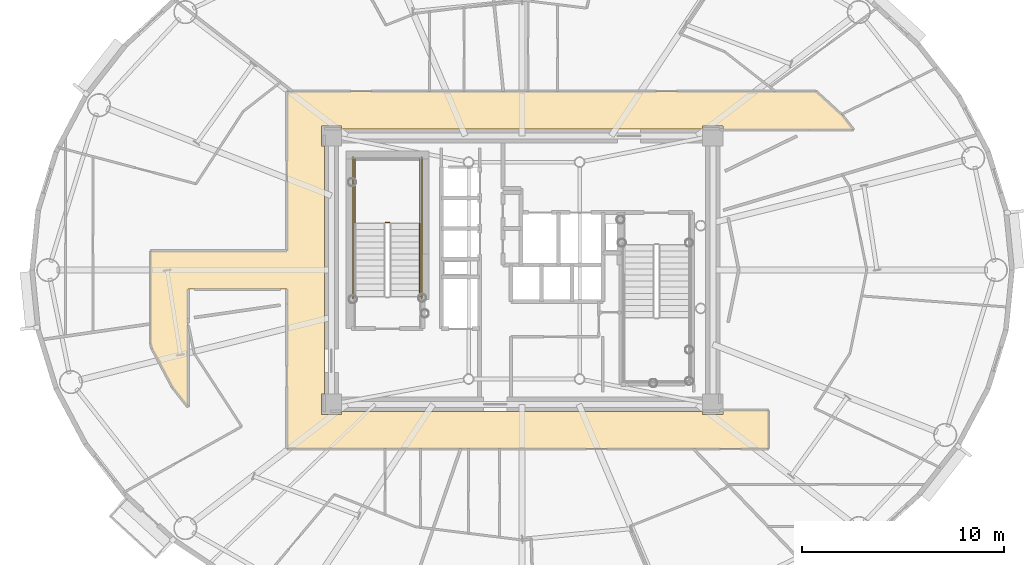
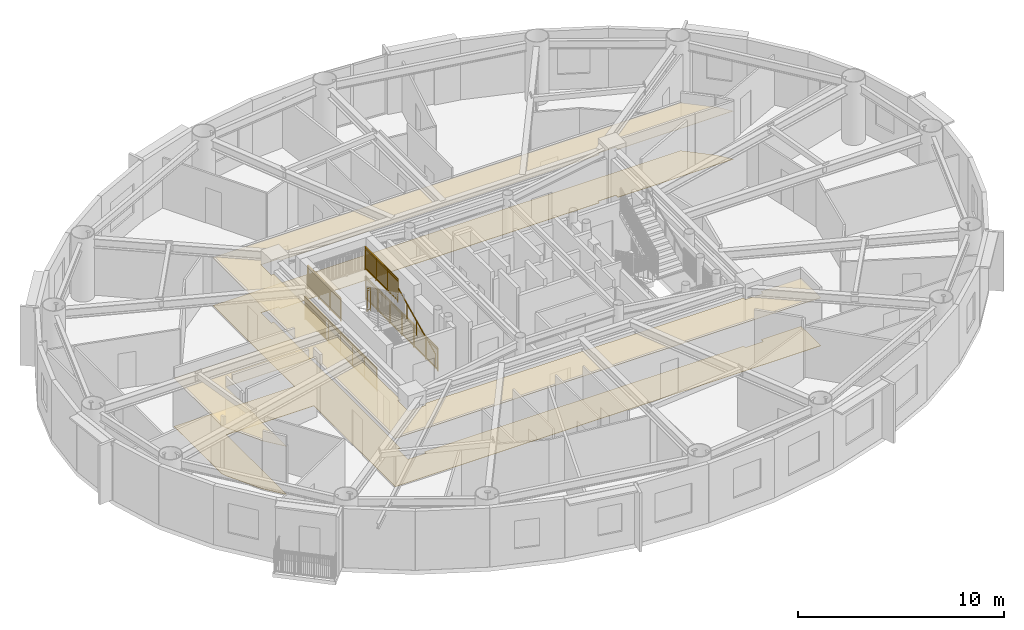
# One storey, part 16 of 20: 6 railings, 2 coverings.
"""IFC4 building model written with IfcOpenShell, lengths in metres."""

from ifc_helpers import new_model, si_unit, direction, frame, origin, origin_2d, place, context, subcontext, project, spatial, polyline, rectangle, outline, extrude, source, transform, mapped, material, layer, layer_set, type_object, element, save


model = new_model("IFC4")

# Units and contexts
model_context = context("Model", 3, precision=1e-05, world=origin(), true_north=direction((0.0, 1.0)))
body_context = subcontext(model_context, "Body", "Model", "MODEL_VIEW")
ifc_project = project(units=[si_unit("LENGTHUNIT", "METRE"), si_unit("AREAUNIT", "SQUARE_METRE"), si_unit("VOLUMEUNIT", "CUBIC_METRE"), si_unit("PLANEANGLEUNIT", "RADIAN"), si_unit("MASSUNIT", "GRAM", prefix="KILO")], contexts=[model_context])

# Site, building, storey
site_placement = place(None, origin())
site = spatial("IfcSite", under=ifc_project, at=site_placement, CompositionType="ELEMENT")
building_placement = place(site_placement, origin())
building = spatial("IfcBuilding", under=site, at=building_placement, Name="Linh Dai School and Residence Tower", CompositionType="ELEMENT")
storey_placement = place(building_placement, frame((0.0, 0.0, 232.800048828125)))
storey = spatial("IfcBuildingStorey", under=building, at=storey_placement, Name="L57", CompositionType="ELEMENT", Elevation=232.800048828125)

# Coverings
ifc_material_1 = material(Name="Mineral Fibre Acoustic Suspended Ceiling", Category="masonry")
ifc_layer_1 = layer(ifc_material_1, 0.02001953125)
ifc_layer_set_1 = layer_set([ifc_layer_1], Name="Mineral Fibre Acoustic Suspended Ceiling")
covering_type_1 = type_object("IfcCoveringType", Name="COV-CEIL-AC-20", PredefinedType="CEILING", material=ifc_layer_set_1)
covering_1_placement = place(storey_placement, frame((0.0, 0.0, 2.849853515625)))
element("IfcCovering", 1, at=covering_1_placement, inside=storey, type_object=covering_type_1, Name="L57 Residential Floor Corridor Suspended Ceiling", PredefinedType="CEILING", context=body_context, shape_type="SweptSolid", body=[
    extrude(outline(polyline([(19.449951171875, 20.211181640625), (18.6806640625, 21.1943359375), (17.66650390625, 23.111083984375), (17.60009765625, 23.327880859375), (17.60009765625, 27.949951171875), (24.35009765625, 27.949951171875), (24.35009765625, 35.85009765625), (50.56787109375, 35.85009765625), (51.873779296875, 34.65283203125), (52.423828125, 33.949951171875), (45.949951171875, 33.949951171875), (45.949951171875, 34.14990234375), (44.949951171875, 34.14990234375), (44.949951171875, 34.0), (27.050048828125, 34.0), (27.050048828125, 34.14990234375), (26.050048828125, 34.14990234375), (26.050048828125, 33.14990234375), (26.199951171875, 33.14990234375), (26.199951171875, 20.85009765625), (26.050048828125, 20.85009765625), (26.050048828125, 19.85009765625), (27.050048828125, 19.85009765625), (27.050048828125, 20.0), (44.949951171875, 20.0), (44.949951171875, 19.85009765625), (45.949951171875, 19.85009765625), (45.949951171875, 20.050048828125), (48.199951171875, 20.050048828125), (48.199951171875, 18.14990234375), (24.35009765625, 18.14990234375), (24.35009765625, 26.050048828125), (19.449951171875, 26.050048828125), (19.449951171875, 20.211181640625)])), origin(), (0.0, 0.0, 1.0), 0.02001953125),
])
ifc_material_2 = material(Name="Polished Terrazzo Floor Finish", Category="masonry")
ifc_layer_2 = layer(ifc_material_2, 0.02490234375)
ifc_layer_set_2 = layer_set([ifc_layer_2], Name="Polished Terrazzo Floor Finish")
covering_type_2 = type_object("IfcCoveringType", Name="COV-FLR-TRZ-25", PredefinedType="FLOORING", material=ifc_layer_set_2)
covering_2_placement = place(storey_placement, origin())
element("IfcCovering", 2, at=covering_2_placement, inside=storey, type_object=covering_type_2, Name="L57 Residential Floor Corridor Floor Finish", PredefinedType="FLOORING", context=body_context, shape_type="SweptSolid", body=[
    extrude(outline(polyline([(19.449951171875, 20.211181640625), (18.6806640625, 21.1943359375), (17.66650390625, 23.111083984375), (17.60009765625, 23.327880859375), (17.60009765625, 27.949951171875), (24.35009765625, 27.949951171875), (24.35009765625, 35.85009765625), (50.56787109375, 35.85009765625), (51.873779296875, 34.65283203125), (52.423828125, 33.949951171875), (45.949951171875, 33.949951171875), (45.949951171875, 34.14990234375), (44.949951171875, 34.14990234375), (44.949951171875, 34.0), (27.050048828125, 34.0), (27.050048828125, 34.14990234375), (26.050048828125, 34.14990234375), (26.050048828125, 33.14990234375), (26.199951171875, 33.14990234375), (26.199951171875, 20.85009765625), (26.050048828125, 20.85009765625), (26.050048828125, 19.85009765625), (27.050048828125, 19.85009765625), (27.050048828125, 20.0), (44.949951171875, 20.0), (44.949951171875, 19.85009765625), (45.949951171875, 19.85009765625), (45.949951171875, 20.050048828125), (48.199951171875, 20.050048828125), (48.199951171875, 18.14990234375), (24.35009765625, 18.14990234375), (24.35009765625, 26.050048828125), (19.449951171875, 26.050048828125), (19.449951171875, 20.211181640625)])), origin(), (0.0, 0.0, 1.0), 0.02001953125),
])

# Railings
ifc_material_3 = material(Name="Structural Steel S355JR", Category="steel")
railing_type_1 = type_object("IfcRailingType", Name="RL-ST-GUARD-1400", PredefinedType="GUARDRAIL", material=ifc_material_3)
shared_shape_1 = source(origin(), body_context, "Body", "SweptSolid", [
    extrude(rectangle(XDim=0.048095703125, YDim=0.048095703125, at=origin_2d()), frame((0.0, 0.0, 1.3759765625), z_axis=(-1.0, 0.0, 0.0), x_axis=(0.0, -1.0, 0.0)), (0.0, 0.0, 1.0), 0.199951171875),
    extrude(rectangle(XDim=0.048095703125, YDim=0.048095703125, at=origin_2d()), frame((0.0, 0.0, 0.10009765625), z_axis=(-1.0, 0.0, 0.0), x_axis=(0.0, -1.0, 0.0)), (0.0, 0.0, 1.0), 0.199951171875),
    extrude(rectangle(XDim=0.030029296875, YDim=0.030029296875, at=origin_2d()), frame((0.0, 0.0, 1.239990234375), z_axis=(-1.0, 0.0, 0.0), x_axis=(0.0, -1.0, 0.0)), (0.0, 0.0, 1.0), 0.199951171875),
    extrude(rectangle(XDim=0.0419921875, YDim=0.0419921875, at=origin_2d()), origin(), (0.0, 0.0, 1.0), 1.3759765625),
    extrude(rectangle(XDim=0.0419921875, YDim=0.0419921875, at=origin_2d()), frame((-0.199951171875, 0.0, 0.0)), (0.0, 0.0, 1.0), 1.3759765625),
])
railing_1_placement = place(storey_placement, frame((29.429931640625, 29.35009765625, 1.875)))
element("IfcRailing", 3, at=railing_1_placement, inside=storey, type_object=railing_type_1, Name="L57 ST1 stair guard 2", PredefinedType="GUARDRAIL", context=body_context, shape_type="MappedRepresentation", body=[
    mapped(shared_shape_1, transform((0.0, 0.0, 0.0), x_axis=(1.0, 0.0, 0.0), y_axis=(0.0, 1.0, 0.0), z_axis=(0.0, 0.0, 1.0), scale=1.0)),
])
shared_shape_2 = source(origin(), body_context, "Body", "SweptSolid", [
    extrude(rectangle(XDim=0.048095703125, YDim=0.048095703125, at=origin_2d()), frame((0.0, 0.0, 1.3759765625), z_axis=(0.0, 1.0, 0.0), x_axis=(-1.0, 0.0, 0.0)), (0.0, 0.0, 1.0), 7.0),
    extrude(rectangle(XDim=0.048095703125, YDim=0.048095703125, at=origin_2d()), frame((0.0, 0.0, 0.10009765625), z_axis=(0.0, 1.0, 0.0), x_axis=(-1.0, 0.0, 0.0)), (0.0, 0.0, 1.0), 7.0),
    extrude(rectangle(XDim=0.030029296875, YDim=0.030029296875, at=origin_2d()), frame((0.0, 0.0, 1.239990234375), z_axis=(0.0, 1.0, 0.0), x_axis=(-1.0, 0.0, 0.0)), (0.0, 0.0, 1.0), 7.0),
    extrude(rectangle(XDim=0.02001953125, YDim=0.02001953125, at=origin_2d()), frame((0.0, 0.09716796875, 0.10009765625)), (0.0, 0.0, 1.0), 1.251708984375),
    extrude(rectangle(XDim=0.02001953125, YDim=0.02001953125, at=origin_2d()), frame((0.0, 0.1943359375, 0.10009765625)), (0.0, 0.0, 1.0), 1.251708984375),
    extrude(rectangle(XDim=0.02001953125, YDim=0.02001953125, at=origin_2d()), frame((0.0, 0.291748046875, 0.10009765625)), (0.0, 0.0, 1.0), 1.251708984375),
    extrude(rectangle(XDim=0.02001953125, YDim=0.02001953125, at=origin_2d()), frame((0.0, 0.388916015625, 0.10009765625)), (0.0, 0.0, 1.0), 1.251708984375),
    extrude(rectangle(XDim=0.02001953125, YDim=0.02001953125, at=origin_2d()), frame((0.0, 0.486083984375, 0.10009765625)), (0.0, 0.0, 1.0), 1.251708984375),
    extrude(rectangle(XDim=0.02001953125, YDim=0.02001953125, at=origin_2d()), frame((0.0, 0.583251953125, 0.10009765625)), (0.0, 0.0, 1.0), 1.251708984375),
    extrude(rectangle(XDim=0.02001953125, YDim=0.02001953125, at=origin_2d()), frame((0.0, 0.6806640625, 0.10009765625)), (0.0, 0.0, 1.0), 1.251708984375),
    extrude(rectangle(XDim=0.02001953125, YDim=0.02001953125, at=origin_2d()), frame((0.0, 0.77783203125, 0.10009765625)), (0.0, 0.0, 1.0), 1.251708984375),
    extrude(rectangle(XDim=0.02001953125, YDim=0.02001953125, at=origin_2d()), frame((0.0, 0.875, 0.10009765625)), (0.0, 0.0, 1.0), 1.251708984375),
    extrude(rectangle(XDim=0.02001953125, YDim=0.02001953125, at=origin_2d()), frame((0.0, 0.97216796875, 0.10009765625)), (0.0, 0.0, 1.0), 1.251708984375),
    extrude(rectangle(XDim=0.02001953125, YDim=0.02001953125, at=origin_2d()), frame((0.0, 1.0693359375, 0.10009765625)), (0.0, 0.0, 1.0), 1.251708984375),
    extrude(rectangle(XDim=0.02001953125, YDim=0.02001953125, at=origin_2d()), frame((0.0, 1.263916015625, 0.10009765625)), (0.0, 0.0, 1.0), 1.251708984375),
    extrude(rectangle(XDim=0.02001953125, YDim=0.02001953125, at=origin_2d()), frame((0.0, 1.361083984375, 0.10009765625)), (0.0, 0.0, 1.0), 1.251708984375),
    extrude(rectangle(XDim=0.02001953125, YDim=0.02001953125, at=origin_2d()), frame((0.0, 1.458251953125, 0.10009765625)), (0.0, 0.0, 1.0), 1.251708984375),
    extrude(rectangle(XDim=0.02001953125, YDim=0.02001953125, at=origin_2d()), frame((0.0, 1.5556640625, 0.10009765625)), (0.0, 0.0, 1.0), 1.251708984375),
    extrude(rectangle(XDim=0.02001953125, YDim=0.02001953125, at=origin_2d()), frame((0.0, 1.65283203125, 0.10009765625)), (0.0, 0.0, 1.0), 1.251708984375),
    extrude(rectangle(XDim=0.02001953125, YDim=0.02001953125, at=origin_2d()), frame((0.0, 1.75, 0.10009765625)), (0.0, 0.0, 1.0), 1.251708984375),
    extrude(rectangle(XDim=0.02001953125, YDim=0.02001953125, at=origin_2d()), frame((0.0, 1.84716796875, 0.10009765625)), (0.0, 0.0, 1.0), 1.251708984375),
    extrude(rectangle(XDim=0.02001953125, YDim=0.02001953125, at=origin_2d()), frame((0.0, 1.9443359375, 0.10009765625)), (0.0, 0.0, 1.0), 1.251708984375),
    extrude(rectangle(XDim=0.02001953125, YDim=0.02001953125, at=origin_2d()), frame((0.0, 2.041748046875, 0.10009765625)), (0.0, 0.0, 1.0), 1.251708984375),
    extrude(rectangle(XDim=0.02001953125, YDim=0.02001953125, at=origin_2d()), frame((0.0, 2.138916015625, 0.10009765625)), (0.0, 0.0, 1.0), 1.251708984375),
    extrude(rectangle(XDim=0.02001953125, YDim=0.02001953125, at=origin_2d()), frame((0.0, 2.236083984375, 0.10009765625)), (0.0, 0.0, 1.0), 1.251708984375),
    extrude(rectangle(XDim=0.02001953125, YDim=0.02001953125, at=origin_2d()), frame((0.0, 2.4306640625, 0.10009765625)), (0.0, 0.0, 1.0), 1.251708984375),
    extrude(rectangle(XDim=0.02001953125, YDim=0.02001953125, at=origin_2d()), frame((0.0, 2.52783203125, 0.10009765625)), (0.0, 0.0, 1.0), 1.251708984375),
    extrude(rectangle(XDim=0.02001953125, YDim=0.02001953125, at=origin_2d()), frame((0.0, 2.625, 0.10009765625)), (0.0, 0.0, 1.0), 1.251708984375),
    extrude(rectangle(XDim=0.02001953125, YDim=0.02001953125, at=origin_2d()), frame((0.0, 2.72216796875, 0.10009765625)), (0.0, 0.0, 1.0), 1.251708984375),
    extrude(rectangle(XDim=0.02001953125, YDim=0.02001953125, at=origin_2d()), frame((0.0, 2.8193359375, 0.10009765625)), (0.0, 0.0, 1.0), 1.251708984375),
    extrude(rectangle(XDim=0.02001953125, YDim=0.02001953125, at=origin_2d()), frame((0.0, 2.916748046875, 0.10009765625)), (0.0, 0.0, 1.0), 1.251708984375),
    extrude(rectangle(XDim=0.02001953125, YDim=0.02001953125, at=origin_2d()), frame((0.0, 3.013916015625, 0.10009765625)), (0.0, 0.0, 1.0), 1.251708984375),
    extrude(rectangle(XDim=0.02001953125, YDim=0.02001953125, at=origin_2d()), frame((0.0, 3.111083984375, 0.10009765625)), (0.0, 0.0, 1.0), 1.251708984375),
    extrude(rectangle(XDim=0.02001953125, YDim=0.02001953125, at=origin_2d()), frame((0.0, 3.208251953125, 0.10009765625)), (0.0, 0.0, 1.0), 1.251708984375),
    extrude(rectangle(XDim=0.02001953125, YDim=0.02001953125, at=origin_2d()), frame((0.0, 3.3056640625, 0.10009765625)), (0.0, 0.0, 1.0), 1.251708984375),
    extrude(rectangle(XDim=0.02001953125, YDim=0.02001953125, at=origin_2d()), frame((0.0, 3.40283203125, 0.10009765625)), (0.0, 0.0, 1.0), 1.251708984375),
    extrude(rectangle(XDim=0.02001953125, YDim=0.02001953125, at=origin_2d()), frame((0.0, 3.59716796875, 0.10009765625)), (0.0, 0.0, 1.0), 1.251708984375),
    extrude(rectangle(XDim=0.02001953125, YDim=0.02001953125, at=origin_2d()), frame((0.0, 3.6943359375, 0.10009765625)), (0.0, 0.0, 1.0), 1.251708984375),
    extrude(rectangle(XDim=0.02001953125, YDim=0.02001953125, at=origin_2d()), frame((0.0, 3.791748046875, 0.10009765625)), (0.0, 0.0, 1.0), 1.251708984375),
    extrude(rectangle(XDim=0.02001953125, YDim=0.02001953125, at=origin_2d()), frame((0.0, 3.888916015625, 0.10009765625)), (0.0, 0.0, 1.0), 1.251708984375),
    extrude(rectangle(XDim=0.02001953125, YDim=0.02001953125, at=origin_2d()), frame((0.0, 3.986083984375, 0.10009765625)), (0.0, 0.0, 1.0), 1.251708984375),
    extrude(rectangle(XDim=0.02001953125, YDim=0.02001953125, at=origin_2d()), frame((0.0, 4.083251953125, 0.10009765625)), (0.0, 0.0, 1.0), 1.251708984375),
    extrude(rectangle(XDim=0.02001953125, YDim=0.02001953125, at=origin_2d()), frame((0.0, 4.1806640625, 0.10009765625)), (0.0, 0.0, 1.0), 1.251708984375),
    extrude(rectangle(XDim=0.02001953125, YDim=0.02001953125, at=origin_2d()), frame((0.0, 4.27783203125, 0.10009765625)), (0.0, 0.0, 1.0), 1.251708984375),
    extrude(rectangle(XDim=0.02001953125, YDim=0.02001953125, at=origin_2d()), frame((0.0, 4.375, 0.10009765625)), (0.0, 0.0, 1.0), 1.251708984375),
    extrude(rectangle(XDim=0.02001953125, YDim=0.02001953125, at=origin_2d()), frame((0.0, 4.47216796875, 0.10009765625)), (0.0, 0.0, 1.0), 1.251708984375),
    extrude(rectangle(XDim=0.02001953125, YDim=0.02001953125, at=origin_2d()), frame((0.0, 4.5693359375, 0.10009765625)), (0.0, 0.0, 1.0), 1.251708984375),
    extrude(rectangle(XDim=0.02001953125, YDim=0.02001953125, at=origin_2d()), frame((0.0, 4.763916015625, 0.10009765625)), (0.0, 0.0, 1.0), 1.251708984375),
    extrude(rectangle(XDim=0.02001953125, YDim=0.02001953125, at=origin_2d()), frame((0.0, 4.861083984375, 0.10009765625)), (0.0, 0.0, 1.0), 1.251708984375),
    extrude(rectangle(XDim=0.02001953125, YDim=0.02001953125, at=origin_2d()), frame((0.0, 4.958251953125, 0.10009765625)), (0.0, 0.0, 1.0), 1.251708984375),
    extrude(rectangle(XDim=0.02001953125, YDim=0.02001953125, at=origin_2d()), frame((0.0, 5.0556640625, 0.10009765625)), (0.0, 0.0, 1.0), 1.251708984375),
    extrude(rectangle(XDim=0.02001953125, YDim=0.02001953125, at=origin_2d()), frame((0.0, 5.15283203125, 0.10009765625)), (0.0, 0.0, 1.0), 1.251708984375),
    extrude(rectangle(XDim=0.02001953125, YDim=0.02001953125, at=origin_2d()), frame((0.0, 5.25, 0.10009765625)), (0.0, 0.0, 1.0), 1.251708984375),
    extrude(rectangle(XDim=0.02001953125, YDim=0.02001953125, at=origin_2d()), frame((0.0, 5.34716796875, 0.10009765625)), (0.0, 0.0, 1.0), 1.251708984375),
    extrude(rectangle(XDim=0.02001953125, YDim=0.02001953125, at=origin_2d()), frame((0.0, 5.4443359375, 0.10009765625)), (0.0, 0.0, 1.0), 1.251708984375),
    extrude(rectangle(XDim=0.02001953125, YDim=0.02001953125, at=origin_2d()), frame((0.0, 5.541748046875, 0.10009765625)), (0.0, 0.0, 1.0), 1.251708984375),
    extrude(rectangle(XDim=0.02001953125, YDim=0.02001953125, at=origin_2d()), frame((0.0, 5.638916015625, 0.10009765625)), (0.0, 0.0, 1.0), 1.251708984375),
    extrude(rectangle(XDim=0.02001953125, YDim=0.02001953125, at=origin_2d()), frame((0.0, 5.736083984375, 0.10009765625)), (0.0, 0.0, 1.0), 1.251708984375),
    extrude(rectangle(XDim=0.02001953125, YDim=0.02001953125, at=origin_2d()), frame((0.0, 5.9306640625, 0.10009765625)), (0.0, 0.0, 1.0), 1.251708984375),
    extrude(rectangle(XDim=0.02001953125, YDim=0.02001953125, at=origin_2d()), frame((0.0, 6.02783203125, 0.10009765625)), (0.0, 0.0, 1.0), 1.251708984375),
    extrude(rectangle(XDim=0.02001953125, YDim=0.02001953125, at=origin_2d()), frame((0.0, 6.125, 0.10009765625)), (0.0, 0.0, 1.0), 1.251708984375),
    extrude(rectangle(XDim=0.02001953125, YDim=0.02001953125, at=origin_2d()), frame((0.0, 6.22216796875, 0.10009765625)), (0.0, 0.0, 1.0), 1.251708984375),
    extrude(rectangle(XDim=0.02001953125, YDim=0.02001953125, at=origin_2d()), frame((0.0, 6.3193359375, 0.10009765625)), (0.0, 0.0, 1.0), 1.251708984375),
    extrude(rectangle(XDim=0.02001953125, YDim=0.02001953125, at=origin_2d()), frame((0.0, 6.416748046875, 0.10009765625)), (0.0, 0.0, 1.0), 1.251708984375),
    extrude(rectangle(XDim=0.02001953125, YDim=0.02001953125, at=origin_2d()), frame((0.0, 6.513916015625, 0.10009765625)), (0.0, 0.0, 1.0), 1.251708984375),
    extrude(rectangle(XDim=0.02001953125, YDim=0.02001953125, at=origin_2d()), frame((0.0, 6.611083984375, 0.10009765625)), (0.0, 0.0, 1.0), 1.251708984375),
    extrude(rectangle(XDim=0.02001953125, YDim=0.02001953125, at=origin_2d()), frame((0.0, 6.708251953125, 0.10009765625)), (0.0, 0.0, 1.0), 1.251708984375),
    extrude(rectangle(XDim=0.02001953125, YDim=0.02001953125, at=origin_2d()), frame((0.0, 6.8056640625, 0.10009765625)), (0.0, 0.0, 1.0), 1.251708984375),
    extrude(rectangle(XDim=0.02001953125, YDim=0.02001953125, at=origin_2d()), frame((0.0, 6.90283203125, 0.10009765625)), (0.0, 0.0, 1.0), 1.251708984375),
    extrude(rectangle(XDim=0.0419921875, YDim=0.0419921875, at=origin_2d()), origin(), (0.0, 0.0, 1.0), 1.3759765625),
    extrude(rectangle(XDim=0.0419921875, YDim=0.0419921875, at=origin_2d()), frame((0.0, 1.166748046875, 0.0)), (0.0, 0.0, 1.0), 1.3759765625),
    extrude(rectangle(XDim=0.0419921875, YDim=0.0419921875, at=origin_2d()), frame((0.0, 2.333251953125, 0.0)), (0.0, 0.0, 1.0), 1.3759765625),
    extrude(rectangle(XDim=0.0419921875, YDim=0.0419921875, at=origin_2d()), frame((0.0, 3.5, 0.0)), (0.0, 0.0, 1.0), 1.3759765625),
    extrude(rectangle(XDim=0.0419921875, YDim=0.0419921875, at=origin_2d()), frame((0.0, 4.666748046875, 0.0)), (0.0, 0.0, 1.0), 1.3759765625),
    extrude(rectangle(XDim=0.0419921875, YDim=0.0419921875, at=origin_2d()), frame((0.0, 5.833251953125, 0.0)), (0.0, 0.0, 1.0), 1.3759765625),
    extrude(rectangle(XDim=0.0419921875, YDim=0.0419921875, at=origin_2d()), frame((0.0, 7.0, 0.0)), (0.0, 0.0, 1.0), 1.3759765625),
])
for number, where, name in (
    (4, (31.030029296875, 25.60009765625, 0.0), "L57 ST1 stair guard 10"),
    (5, (27.6298828125, 25.60009765625, 0.0), "L57 ST1 stair guard 11"),
):
    element("IfcRailing", number, at=place(storey_placement, frame(where)), inside=storey, type_object=railing_type_1, Name=name, PredefinedType="GUARDRAIL", context=body_context, shape_type="MappedRepresentation", body=[
        mapped(shared_shape_2, transform((0.0, 0.0, 0.0), x_axis=(1.0, 0.0, 0.0), y_axis=(0.0, 1.0, 0.0), z_axis=(0.0, 0.0, 1.0), scale=1.0)),
    ])
shared_shape_3 = source(origin(), body_context, "Body", "SweptSolid", [
    extrude(rectangle(XDim=0.048095703125, YDim=0.048095703125, at=origin_2d()), frame((0.0, 0.0, 1.3759765625), z_axis=(0.0, 1.0, 0.0), x_axis=(-1.0, 0.0, 0.0)), (0.0, 0.0, 1.0), 3.199951171875),
    extrude(rectangle(XDim=0.048095703125, YDim=0.048095703125, at=origin_2d()), frame((0.0, 0.0, 0.10009765625), z_axis=(0.0, 1.0, 0.0), x_axis=(-1.0, 0.0, 0.0)), (0.0, 0.0, 1.0), 3.199951171875),
    extrude(rectangle(XDim=0.030029296875, YDim=0.030029296875, at=origin_2d()), frame((0.0, 0.0, 1.239990234375), z_axis=(0.0, 1.0, 0.0), x_axis=(-1.0, 0.0, 0.0)), (0.0, 0.0, 1.0), 3.199951171875),
    extrude(rectangle(XDim=0.02001953125, YDim=0.02001953125, at=origin_2d()), frame((0.0, 0.096923828125, 0.10009765625)), (0.0, 0.0, 1.0), 1.251708984375),
    extrude(rectangle(XDim=0.02001953125, YDim=0.02001953125, at=origin_2d()), frame((0.0, 0.19384765625, 0.10009765625)), (0.0, 0.0, 1.0), 1.251708984375),
    extrude(rectangle(XDim=0.02001953125, YDim=0.02001953125, at=origin_2d()), frame((0.0, 0.291015625, 0.10009765625)), (0.0, 0.0, 1.0), 1.251708984375),
    extrude(rectangle(XDim=0.02001953125, YDim=0.02001953125, at=origin_2d()), frame((0.0, 0.387939453125, 0.10009765625)), (0.0, 0.0, 1.0), 1.251708984375),
    extrude(rectangle(XDim=0.02001953125, YDim=0.02001953125, at=origin_2d()), frame((0.0, 0.48486328125, 0.10009765625)), (0.0, 0.0, 1.0), 1.251708984375),
    extrude(rectangle(XDim=0.02001953125, YDim=0.02001953125, at=origin_2d()), frame((0.0, 0.581787109375, 0.10009765625)), (0.0, 0.0, 1.0), 1.251708984375),
    extrude(rectangle(XDim=0.02001953125, YDim=0.02001953125, at=origin_2d()), frame((0.0, 0.6787109375, 0.10009765625)), (0.0, 0.0, 1.0), 1.251708984375),
    extrude(rectangle(XDim=0.02001953125, YDim=0.02001953125, at=origin_2d()), frame((0.0, 0.775634765625, 0.10009765625)), (0.0, 0.0, 1.0), 1.251708984375),
    extrude(rectangle(XDim=0.02001953125, YDim=0.02001953125, at=origin_2d()), frame((0.0, 0.872802734375, 0.10009765625)), (0.0, 0.0, 1.0), 1.251708984375),
    extrude(rectangle(XDim=0.02001953125, YDim=0.02001953125, at=origin_2d()), frame((0.0, 0.9697265625, 0.10009765625)), (0.0, 0.0, 1.0), 1.251708984375),
    extrude(rectangle(XDim=0.02001953125, YDim=0.02001953125, at=origin_2d()), frame((0.0, 1.16357421875, 0.10009765625)), (0.0, 0.0, 1.0), 1.251708984375),
    extrude(rectangle(XDim=0.02001953125, YDim=0.02001953125, at=origin_2d()), frame((0.0, 1.260498046875, 0.10009765625)), (0.0, 0.0, 1.0), 1.251708984375),
    extrude(rectangle(XDim=0.02001953125, YDim=0.02001953125, at=origin_2d()), frame((0.0, 1.357666015625, 0.10009765625)), (0.0, 0.0, 1.0), 1.251708984375),
    extrude(rectangle(XDim=0.02001953125, YDim=0.02001953125, at=origin_2d()), frame((0.0, 1.45458984375, 0.10009765625)), (0.0, 0.0, 1.0), 1.251708984375),
    extrude(rectangle(XDim=0.02001953125, YDim=0.02001953125, at=origin_2d()), frame((0.0, 1.551513671875, 0.10009765625)), (0.0, 0.0, 1.0), 1.251708984375),
    extrude(rectangle(XDim=0.02001953125, YDim=0.02001953125, at=origin_2d()), frame((0.0, 1.6484375, 0.10009765625)), (0.0, 0.0, 1.0), 1.251708984375),
    extrude(rectangle(XDim=0.02001953125, YDim=0.02001953125, at=origin_2d()), frame((0.0, 1.745361328125, 0.10009765625)), (0.0, 0.0, 1.0), 1.251708984375),
    extrude(rectangle(XDim=0.02001953125, YDim=0.02001953125, at=origin_2d()), frame((0.0, 1.84228515625, 0.10009765625)), (0.0, 0.0, 1.0), 1.251708984375),
    extrude(rectangle(XDim=0.02001953125, YDim=0.02001953125, at=origin_2d()), frame((0.0, 1.939453125, 0.10009765625)), (0.0, 0.0, 1.0), 1.251708984375),
    extrude(rectangle(XDim=0.02001953125, YDim=0.02001953125, at=origin_2d()), frame((0.0, 2.036376953125, 0.10009765625)), (0.0, 0.0, 1.0), 1.251708984375),
    extrude(rectangle(XDim=0.02001953125, YDim=0.02001953125, at=origin_2d()), frame((0.0, 2.230224609375, 0.10009765625)), (0.0, 0.0, 1.0), 1.251708984375),
    extrude(rectangle(XDim=0.02001953125, YDim=0.02001953125, at=origin_2d()), frame((0.0, 2.3271484375, 0.10009765625)), (0.0, 0.0, 1.0), 1.251708984375),
    extrude(rectangle(XDim=0.02001953125, YDim=0.02001953125, at=origin_2d()), frame((0.0, 2.42431640625, 0.10009765625)), (0.0, 0.0, 1.0), 1.251708984375),
    extrude(rectangle(XDim=0.02001953125, YDim=0.02001953125, at=origin_2d()), frame((0.0, 2.521240234375, 0.10009765625)), (0.0, 0.0, 1.0), 1.251708984375),
    extrude(rectangle(XDim=0.02001953125, YDim=0.02001953125, at=origin_2d()), frame((0.0, 2.6181640625, 0.10009765625)), (0.0, 0.0, 1.0), 1.251708984375),
    extrude(rectangle(XDim=0.02001953125, YDim=0.02001953125, at=origin_2d()), frame((0.0, 2.715087890625, 0.10009765625)), (0.0, 0.0, 1.0), 1.251708984375),
    extrude(rectangle(XDim=0.02001953125, YDim=0.02001953125, at=origin_2d()), frame((0.0, 2.81201171875, 0.10009765625)), (0.0, 0.0, 1.0), 1.251708984375),
    extrude(rectangle(XDim=0.02001953125, YDim=0.02001953125, at=origin_2d()), frame((0.0, 2.908935546875, 0.10009765625)), (0.0, 0.0, 1.0), 1.251708984375),
    extrude(rectangle(XDim=0.02001953125, YDim=0.02001953125, at=origin_2d()), frame((0.0, 3.006103515625, 0.10009765625)), (0.0, 0.0, 1.0), 1.251708984375),
    extrude(rectangle(XDim=0.02001953125, YDim=0.02001953125, at=origin_2d()), frame((0.0, 3.10302734375, 0.10009765625)), (0.0, 0.0, 1.0), 1.251708984375),
    extrude(rectangle(XDim=0.0419921875, YDim=0.0419921875, at=origin_2d()), origin(), (0.0, 0.0, 1.0), 1.3759765625),
    extrude(rectangle(XDim=0.0419921875, YDim=0.0419921875, at=origin_2d()), frame((0.0, 1.066650390625, 0.0)), (0.0, 0.0, 1.0), 1.3759765625),
    extrude(rectangle(XDim=0.0419921875, YDim=0.0419921875, at=origin_2d()), frame((0.0, 2.13330078125, 0.0)), (0.0, 0.0, 1.0), 1.3759765625),
    extrude(rectangle(XDim=0.0419921875, YDim=0.0419921875, at=origin_2d()), frame((0.0, 3.199951171875, 0.0)), (0.0, 0.0, 1.0), 1.3759765625),
])
for number, where, name in (
    (6, (30.929931640625, 29.300048828125, 1.875), "L57 ST1 stair guard 3"),
    (7, (27.72998046875, 29.300048828125, 1.875), "L57 ST1 stair guard 4"),
):
    element("IfcRailing", number, at=place(storey_placement, frame(where)), inside=storey, type_object=railing_type_1, Name=name, PredefinedType="GUARDRAIL", context=body_context, shape_type="MappedRepresentation", body=[
        mapped(shared_shape_3, transform((0.0, 0.0, 0.0), x_axis=(1.0, 0.0, 0.0), y_axis=(0.0, 1.0, 0.0), z_axis=(0.0, 0.0, 1.0), scale=1.0)),
    ])
ifc_material_4 = material(Name="Brushed Stainless Steel Handrail", Category="steel")
railing_type_2 = type_object("IfcRailingType", Name="RL-ST-HANDRAIL-900", PredefinedType="HANDRAIL", material=ifc_material_4)
shared_shape_4 = source(origin(), body_context, "Body", "SweptSolid", [
    extrude(rectangle(XDim=0.048095703125, YDim=0.048095703125, at=origin_2d()), frame((0.0, 0.0, 0.8759765625), z_axis=(0.0, 0.901262522062, 0.433273431364), x_axis=(-1.0, 0.0, 0.0)), (0.0, 0.0, 1.0), 3.994384765625),
    extrude(rectangle(XDim=0.0419921875, YDim=0.0419921875, at=origin_2d()), origin(), (0.0, 0.0, 1.0), 0.8759765625),
    extrude(rectangle(XDim=0.0419921875, YDim=0.0419921875, at=origin_2d()), frame((0.0, 0.89990234375, 0.4326171875)), (0.0, 0.0, 1.0), 0.8759765625),
    extrude(rectangle(XDim=0.0419921875, YDim=0.0419921875, at=origin_2d()), frame((0.0, 1.800048828125, 0.865234375)), (0.0, 0.0, 1.0), 0.8759765625),
    extrude(rectangle(XDim=0.0419921875, YDim=0.0419921875, at=origin_2d()), frame((0.0, 2.7001953125, 1.298095703125)), (0.0, 0.0, 1.0), 0.8759765625),
    extrude(rectangle(XDim=0.0419921875, YDim=0.0419921875, at=origin_2d()), frame((0.0, 3.60009765625, 1.730712890625)), (0.0, 0.0, 1.0), 0.8759765625),
])
railing_2_placement = place(storey_placement, frame((30.929931640625, 25.699951171875, 0.144287109375)))
element("IfcRailing", 8, at=railing_2_placement, inside=storey, type_object=railing_type_2, Name="L57 ST1 stair handrail 1", PredefinedType="HANDRAIL", context=body_context, shape_type="MappedRepresentation", body=[
    mapped(shared_shape_4, transform((0.0, 0.0, 0.0), x_axis=(1.0, 0.0, 0.0), y_axis=(0.0, 1.0, 0.0), z_axis=(0.0, 0.0, 1.0), scale=1.0)),
])

save(model, "model.ifc")
